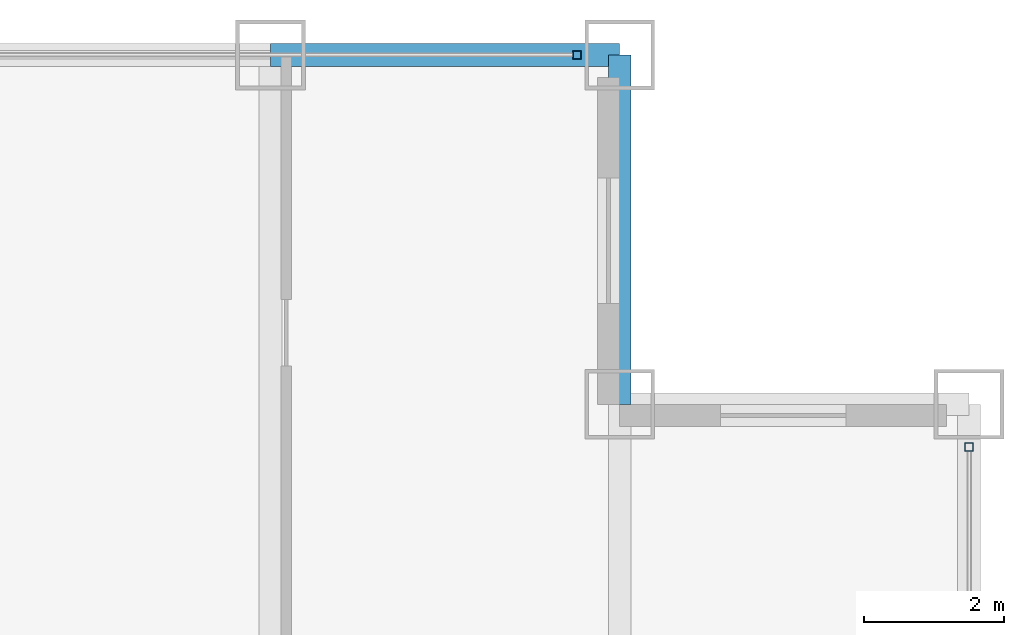
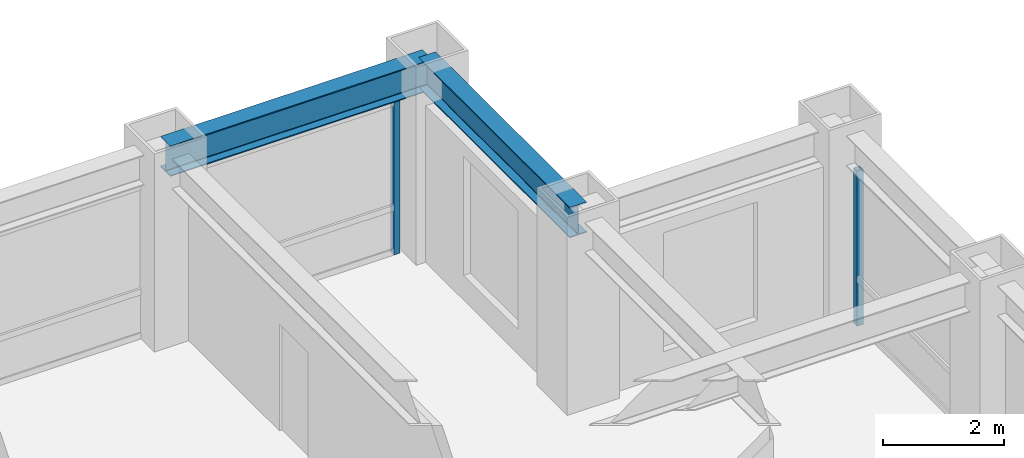
# One storey, part 18 of 25: 2 beams, 2 members, 2 elements without a shape of their own.
"""IFC4 building model written with IfcOpenShell, lengths in metres."""

from ifc_helpers import new_model, si_unit, direction, frame, origin, origin_2d, place, context, subcontext, project, spatial, hollow_rectangle, i_section, extrude, source, transform, mapped, material, material_profile, profile_set, type_object, element, aggregate, save


model = new_model("IFC4")

# Units and contexts
model_context = context("Model", 3, precision=1e-05, world=origin(), true_north=direction((0.0, 1.0)))
body_context = subcontext(model_context, "Body", "Model", "MODEL_VIEW")
ifc_project = project(units=[si_unit("LENGTHUNIT", "METRE"), si_unit("AREAUNIT", "SQUARE_METRE"), si_unit("VOLUMEUNIT", "CUBIC_METRE"), si_unit("PLANEANGLEUNIT", "RADIAN"), si_unit("MASSUNIT", "GRAM", prefix="KILO")], contexts=[model_context])

# Site, building, storey
site_placement = place(None, origin())
site = spatial("IfcSite", under=ifc_project, at=site_placement, CompositionType="ELEMENT")
building_placement = place(site_placement, origin())
building = spatial("IfcBuilding", under=site, at=building_placement, Name="Khorayat Bourse Tower", CompositionType="ELEMENT")
storey_placement = place(building_placement, frame((0.0, 0.0, 255.10009765625)))
storey = spatial("IfcBuildingStorey", under=building, at=storey_placement, Name="L60", CompositionType="ELEMENT", Elevation=255.10009765625)

# Beams
ifc_material_1 = material(Name="Steel ASTM A992 Grade 50", Category="steel")
ifc_material_profile_1 = material_profile(ifc_material_1, i_section(OverallWidth=0.324951171875, OverallDepth=0.615966796875, WebThickness=0.013916015625, FlangeThickness=0.021484375, FilletRadius=0.01611328125, at=origin_2d()), Name="W610X174")
ifc_profile_set_1 = profile_set([ifc_material_profile_1], Name="Steel ASTM A992 Grade 50")
beam_type = type_object("IfcBeamType", Name="BM-SPAN-610", PredefinedType="SPANDREL", material=ifc_profile_set_1)
shared_shape_1 = source(origin(), body_context, "Body", "SweptSolid", [
    extrude(i_section(OverallWidth=0.324951171875, OverallDepth=0.615966796875, WebThickness=0.013916015625, FlangeThickness=0.021484375, FilletRadius=0.01611328125, at=origin_2d()), origin(), (0.0, 0.0, 1.0), 5.0),
])
for number, where, z_axis, x_axis, name in (
    (1, (25.0, 25.0, 3.471923828125), (0.0, 1.0, 0.0), (-1.0, 0.0, 0.0), "L60 BM-SPAN-610 BM-L60-SPN-043"),
    (2, (20.0, 30.0, 3.471923828125), (1.0, 0.0, 0.0), (0.0, 1.0, 0.0), "L60 BM-SPAN-610 BM-L60-SPN-044"),
):
    element("IfcBeam", number, at=place(storey_placement, frame(where, z_axis=z_axis, x_axis=x_axis)), inside=storey, type_object=beam_type, Name=name, PredefinedType="SPANDREL", context=body_context, shape_type="MappedRepresentation", body=[
        mapped(shared_shape_1, transform((0.0, 0.0, 0.0), scale=1.0)),
    ])

# Curtain wall, member
ifc_material_2 = material(Name="Aluminium EN AW-6063 T6", Category="aluminium")
curtain_wall_type = type_object("IfcCurtainWallType", Name="CW-SYS-03", PredefinedType="NOTDEFINED", material=ifc_material_2)
curtain_wall_1_placement = place(storey_placement, origin())
curtain_wall_1 = element("IfcCurtainWall", 3, at=curtain_wall_1_placement, inside=storey, type_object=curtain_wall_type, Name="L60 Curtain Wall CW-L60-N1", PredefinedType="NOTDEFINED")
ifc_material_profile_2 = material_profile(ifc_material_2, hollow_rectangle(XDim=0.1201171875, YDim=0.1201171875, WallThickness=0.0048828125, at=origin_2d()), Name="ALU 120x120x5")
ifc_profile_set_2 = profile_set([ifc_material_profile_2], Name="Aluminium EN AW-6063 T6")
member_type = type_object("IfcMemberType", Name="CWM-VERT-120", PredefinedType="MULLION", material=ifc_profile_set_2)
shared_shape_2 = source(origin(), body_context, "Body", "SweptSolid", [
    extrude(hollow_rectangle(XDim=0.1201171875, YDim=0.1201171875, WallThickness=0.0048828125, at=origin_2d()), origin(), (0.0, 0.0, 1.0), 3.1298828125),
])
member_1_placement = place(storey_placement, frame((24.389892578125, 30.0, 0.0), z_axis=(0.0, 0.0, 1.0), x_axis=(0.0, 1.0, 0.0)))
member_1 = element("IfcMember", 4, at=member_1_placement, type_object=member_type, Name="CW-L60-N1 Vertical Mullion 3", PredefinedType="MULLION", context=body_context, shape_type="MappedRepresentation", body=[
    mapped(shared_shape_2, transform((0.0, 0.0, 0.0), scale=1.0)),
])
aggregate(curtain_wall_1, [member_1])

curtain_wall_2_placement = place(storey_placement, origin())
curtain_wall_2 = element("IfcCurtainWall", 5, at=curtain_wall_2_placement, inside=storey, type_object=curtain_wall_type, Name="L60 Curtain Wall CW-L60-E1", PredefinedType="NOTDEFINED")
member_2_placement = place(storey_placement, frame((30.0, 24.389892578125, 0.0), z_axis=(0.0, 0.0, 1.0), x_axis=(-1.0, 0.0, 0.0)))
member_2 = element("IfcMember", 6, at=member_2_placement, type_object=member_type, Name="CW-L60-E1 Vertical Mullion 3", PredefinedType="MULLION", context=body_context, shape_type="MappedRepresentation", body=[
    mapped(shared_shape_2, transform((0.0, 0.0, 0.0), scale=1.0)),
])
aggregate(curtain_wall_2, [member_2])

save(model, "model.ifc")
